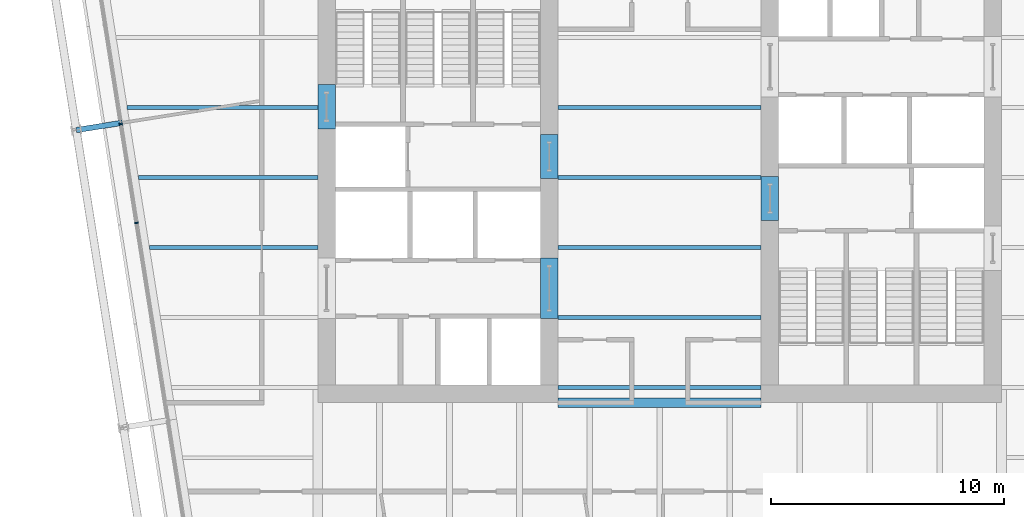
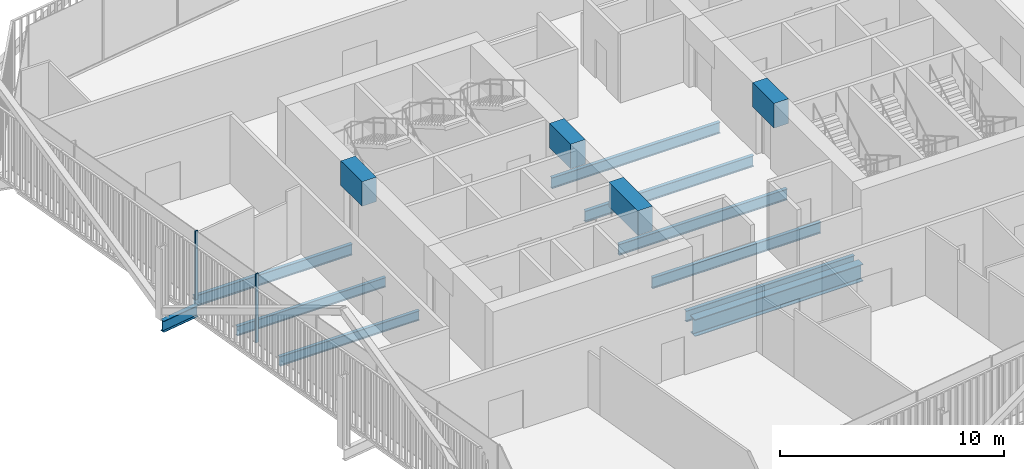
# One storey, part 6 of 22: 14 beams, 2 members, 1 element without a shape of its own.
"""IFC4 building model written with IfcOpenShell, lengths in metres."""

from ifc_helpers import new_model, si_unit, direction, frame, origin, origin_2d, place, context, subcontext, project, spatial, rectangle, i_section, extrude, material, layer, layer_set, material_profile, profile_set, type_object, element, aggregate, save


model = new_model("IFC4")

# Units and contexts
model_context = context("Model", 3, precision=1e-05, world=origin(), true_north=direction((0.0, 1.0)))
body_context = subcontext(model_context, "Body", "Model", "MODEL_VIEW")
ifc_project = project(units=[si_unit("LENGTHUNIT", "METRE"), si_unit("AREAUNIT", "SQUARE_METRE"), si_unit("VOLUMEUNIT", "CUBIC_METRE"), si_unit("PLANEANGLEUNIT", "RADIAN"), si_unit("MASSUNIT", "GRAM", prefix="KILO")], contexts=[model_context])

# Site, building, storey
site_placement = place(None, origin())
site = spatial("IfcSite", under=ifc_project, at=site_placement, CompositionType="ELEMENT")
building_placement = place(site_placement, origin())
building = spatial("IfcBuilding", under=site, at=building_placement, Name="Millrace Tower", CompositionType="ELEMENT")
storey_placement = place(building_placement, frame((0.0, 0.0, 145.10009765625)))
storey = spatial("IfcBuildingStorey", under=building, at=storey_placement, Name="L32", CompositionType="ELEMENT", Elevation=145.10009765625)

# Curtain wall, members
ifc_material_1 = material(Name="Aluminium and glass", Category="aluminium")
ifc_layer = layer(ifc_material_1, 0.14990234375)
ifc_layer_set = layer_set([ifc_layer], Name="Aluminium and glass")
curtain_wall_type = type_object("IfcCurtainWallType", Name="CW-1 office vision curtain wall", PredefinedType="NOTDEFINED", material=ifc_layer_set)
curtain_wall_placement = place(storey_placement, origin())
curtain_wall = element("IfcCurtainWall", 1, at=curtain_wall_placement, inside=storey, type_object=curtain_wall_type, Name="Curtain wall C-F08 L32", PredefinedType="NOTDEFINED")
ifc_material_2 = material(Name="Aluminium", Category="aluminium")
ifc_material_profile_1 = material_profile(ifc_material_2, rectangle(XDim=0.06494140625, YDim=0.14990234375, at=origin_2d()))
ifc_profile_set_1 = profile_set([ifc_material_profile_1], Name="Aluminium")
member_type = type_object("IfcMemberType", Name="CW-1 office vision curtain wall mullion", PredefinedType="MULLION", material=ifc_profile_set_1)
member_1_placement = place(storey_placement, frame((-23.088623046875, 2.300537109375, 0.139892578125), z_axis=(0.0, 0.0, 1.0), x_axis=(0.15643447328, -0.98768833929, 0.0)))
member_1 = element("IfcMember", 2, at=member_1_placement, type_object=member_type, Name="CW1 mullion C-F08.4", PredefinedType="MULLION", context=body_context, shape_type="SweptSolid", body=[
    extrude(rectangle(XDim=0.06494140625, YDim=0.14990234375, at=origin_2d()), origin(), (0.0, 0.0, 1.0), 3.760009765625),
])
member_2_placement = place(storey_placement, frame((-22.416015625, -1.946533203125, 0.139892578125), z_axis=(0.0, 0.0, 1.0), x_axis=(0.15643447328, -0.98768833929, 0.0)))
member_2 = element("IfcMember", 3, at=member_2_placement, type_object=member_type, Name="CW1 mullion C-F08.5", PredefinedType="MULLION", context=body_context, shape_type="SweptSolid", body=[
    extrude(rectangle(XDim=0.06494140625, YDim=0.14990234375, at=origin_2d()), origin(), (0.0, 0.0, 1.0), 3.760009765625),
])
aggregate(curtain_wall, [member_1, member_2])

# Beams
ifc_material_3 = material(Name="Concrete C70", Category="concrete")
ifc_material_profile_2 = material_profile(ifc_material_3, rectangle(XDim=0.75, YDim=1.340087890625, at=origin_2d()))
ifc_profile_set_2 = profile_set([ifc_material_profile_2], Name="Concrete C70")
beam_type_1 = type_object("IfcBeamType", Name="Coupling beam 750 x 1340 Concrete C70, 1300 opening", PredefinedType="BEAM", material=ifc_profile_set_2)
beam_1_placement = place(storey_placement, frame((-14.27490234375, 2.080078125, 3.06982421875), z_axis=(0.0, 1.0, 0.0), x_axis=(-1.0, 0.0, 0.0)))
element("IfcBeam", 4, at=beam_1_placement, inside=storey, type_object=beam_type_1, Name="Coupling beam W L32", PredefinedType="BEAM", context=body_context, shape_type="SweptSolid", body=[
    extrude(rectangle(XDim=0.75, YDim=1.340087890625, at=origin_2d()), origin(), (0.0, 0.0, 1.0), 1.89990234375),
])
for number, where, z_axis, x_axis, name in (
    (5, (-4.72509765625, -0.050048828125, 3.06982421875), (0.0, 1.0, 0.0), (-1.0, 0.0, 0.0), "Coupling beam W L32"),
    (6, (4.72509765625, 0.050048828125, 3.06982421875), (0.0, -1.0, 0.0), (1.0, 0.0, 0.0), "Coupling beam E L32"),
):
    element("IfcBeam", number, at=place(storey_placement, frame(where, z_axis=z_axis, x_axis=x_axis)), inside=storey, type_object=beam_type_1, Name=name, PredefinedType="BEAM", context=body_context, shape_type="SweptSolid", body=[
        extrude(rectangle(XDim=0.75, YDim=1.340087890625, at=origin_2d()), origin(), (0.0, 0.0, 1.0), 1.900146484375),
    ])
ifc_material_4 = material(Name="Concrete C70", Category="concrete")
ifc_material_profile_3 = material_profile(ifc_material_4, rectangle(XDim=0.75, YDim=1.340087890625, at=origin_2d()))
ifc_profile_set_3 = profile_set([ifc_material_profile_3], Name="Concrete C70")
beam_type_2 = type_object("IfcBeamType", Name="Coupling beam 750 x 1340 Concrete C70, 2000 opening", PredefinedType="BEAM", material=ifc_profile_set_3)
beam_2_placement = place(storey_placement, frame((-4.72509765625, -6.050048828125, 3.06982421875), z_axis=(0.0, 1.0, 0.0), x_axis=(-1.0, 0.0, 0.0)))
element("IfcBeam", 7, at=beam_2_placement, inside=storey, type_object=beam_type_2, Name="Coupling beam W L32", PredefinedType="BEAM", context=body_context, shape_type="SweptSolid", body=[
    extrude(rectangle(XDim=0.75, YDim=1.340087890625, at=origin_2d()), origin(), (0.0, 0.0, 1.0), 2.60009765625),
])
ifc_material_5 = material(Name="Steel ASTM A992 Grade 50", Category="steel")
ifc_material_profile_4 = material_profile(ifc_material_5, i_section(OverallWidth=0.1650390625, OverallDepth=0.52587890625, WebThickness=0.0087890625, FlangeThickness=0.011474609375, FilletRadius=0.0126953125, at=origin_2d()))
ifc_profile_set_4 = profile_set([ifc_material_profile_4], Name="Steel ASTM A992 Grade 50")
beam_type_3 = type_object("IfcBeamType", Name="Floor beam W21x44", PredefinedType="JOIST", material=ifc_profile_set_4)
beam_3_placement = place(storey_placement, frame((-21.862060546875, -3.0, -0.423095703125), z_axis=(1.0, 0.0, 0.0), x_axis=(0.0, 1.0, 0.0)))
element("IfcBeam", 8, at=beam_3_placement, inside=storey, type_object=beam_type_3, Name="BM-C-L32-S1-S017", PredefinedType="JOIST", context=body_context, shape_type="SweptSolid", body=[
    extrude(i_section(OverallWidth=0.1650390625, OverallDepth=0.52587890625, WebThickness=0.0087890625, FlangeThickness=0.011474609375, FilletRadius=0.0126953125, at=origin_2d()), origin(), (0.0, 0.0, 1.0), 7.212158203125),
])
beam_4_placement = place(storey_placement, frame((-22.337158203125, 0.0, -0.423095703125), z_axis=(1.0, 0.0, 0.0), x_axis=(0.0, 1.0, 0.0)))
element("IfcBeam", 9, at=beam_4_placement, inside=storey, type_object=beam_type_3, Name="BM-C-L32-S1-S020", PredefinedType="JOIST", context=body_context, shape_type="SweptSolid", body=[
    extrude(i_section(OverallWidth=0.1650390625, OverallDepth=0.52587890625, WebThickness=0.0087890625, FlangeThickness=0.011474609375, FilletRadius=0.0126953125, at=origin_2d()), origin(), (0.0, 0.0, 1.0), 7.687255859375),
])
ifc_material_6 = material(Name="Steel ASTM A992 Grade 50", Category="steel")
ifc_material_profile_5 = material_profile(ifc_material_6, i_section(OverallWidth=0.177978515625, OverallDepth=0.599365234375, WebThickness=0.010009765625, FlangeThickness=0.012939453125, FilletRadius=0.012939453125, at=origin_2d()))
ifc_profile_set_5 = profile_set([ifc_material_profile_5], Name="Steel ASTM A992 Grade 50")
beam_type_4 = type_object("IfcBeamType", Name="Floor beam W24x55", PredefinedType="JOIST", material=ifc_profile_set_5)
for number, where, z_axis, x_axis, name in (
    (10, (-4.35009765625, -9.0, -0.459716796875), (1.0, 0.0, 0.0), (0.0, 1.0, 0.0), "BM-C-L32-S1-S010"),
    (11, (-4.35009765625, -6.0, -0.459716796875), (1.0, 0.0, 0.0), (0.0, 1.0, 0.0), "BM-C-L32-S1-S013"),
    (12, (-4.35009765625, -3.0, -0.459716796875), (1.0, 0.0, 0.0), (0.0, 1.0, 0.0), "BM-C-L32-S1-S016"),
    (13, (-4.35009765625, 0.0, -0.459716796875), (1.0, 0.0, 0.0), (0.0, 1.0, 0.0), "BM-C-L32-S1-S019"),
    (14, (-4.35009765625, 3.0, -0.459716796875), (1.0, 0.0, 0.0), (0.0, 1.0, 0.0), "BM-C-L32-S1-S022"),
):
    element("IfcBeam", number, at=place(storey_placement, frame(where, z_axis=z_axis, x_axis=x_axis)), inside=storey, type_object=beam_type_4, Name=name, PredefinedType="JOIST", context=body_context, shape_type="SweptSolid", body=[
        extrude(i_section(OverallWidth=0.177978515625, OverallDepth=0.599365234375, WebThickness=0.010009765625, FlangeThickness=0.012939453125, FilletRadius=0.012939453125, at=origin_2d()), origin(), (0.0, 0.0, 1.0), 8.7001953125),
    ])
beam_5_placement = place(storey_placement, frame((-22.812255859375, 3.0, -0.459716796875), z_axis=(1.0, 0.0, 0.0), x_axis=(0.0, 1.0, 0.0)))
element("IfcBeam", 15, at=beam_5_placement, inside=storey, type_object=beam_type_4, Name="BM-C-L32-S1-S023", PredefinedType="JOIST", context=body_context, shape_type="SweptSolid", body=[
    extrude(i_section(OverallWidth=0.177978515625, OverallDepth=0.599365234375, WebThickness=0.010009765625, FlangeThickness=0.012939453125, FilletRadius=0.012939453125, at=origin_2d()), origin(), (0.0, 0.0, 1.0), 8.162353515625),
])
ifc_material_7 = material(Name="Steel ASTM A992 Grade 50", Category="steel")
ifc_material_profile_6 = material_profile(ifc_material_7, i_section(OverallWidth=0.419189453125, OverallDepth=0.927001953125, WebThickness=0.019287109375, FlangeThickness=0.031982421875, FilletRadius=0.024169921875, at=origin_2d()))
ifc_profile_set_6 = profile_set([ifc_material_profile_6], Name="Steel ASTM A992 Grade 50")
beam_type_5 = type_object("IfcBeamType", Name="Girder short span W36x231", PredefinedType="BEAM", material=ifc_profile_set_6)
beam_6_placement = place(storey_placement, frame((-4.35009765625, -9.64990234375, -0.62353515625), z_axis=(1.0, 0.0, 0.0), x_axis=(0.0, 1.0, 0.0)))
element("IfcBeam", 16, at=beam_6_placement, inside=storey, type_object=beam_type_5, Name="BM-C-L32-S1-G062", PredefinedType="BEAM", context=body_context, shape_type="SweptSolid", body=[
    extrude(i_section(OverallWidth=0.419189453125, OverallDepth=0.927001953125, WebThickness=0.019287109375, FlangeThickness=0.031982421875, FilletRadius=0.024169921875, at=origin_2d()), origin(), (0.0, 0.0, 1.0), 8.7001953125),
])
ifc_material_8 = material(Name="Steel ASTM A992 Grade 50", Category="steel")
ifc_material_profile_7 = material_profile(ifc_material_8, i_section(OverallWidth=0.23046875, OverallDepth=0.6171875, WebThickness=0.01318359375, FlangeThickness=0.022216796875, FilletRadius=0.012939453125, at=origin_2d()))
ifc_profile_set_7 = profile_set([ifc_material_profile_7], Name="Steel ASTM A992 Grade 50")
beam_type_6 = type_object("IfcBeamType", Name="Link beam W24x94", PredefinedType="BEAM", material=ifc_profile_set_7)
beam_7_placement = place(storey_placement, frame((-23.019775390625, 2.344482421875, -0.46875), z_axis=(-0.987678691416, -0.156495375404, 0.0), x_axis=(0.156495375404, -0.987678691416, 0.0)))
element("IfcBeam", 17, at=beam_7_placement, inside=storey, type_object=beam_type_6, Name="LNK-C-L32-S1-03", PredefinedType="BEAM", context=body_context, shape_type="SweptSolid", body=[
    extrude(i_section(OverallWidth=0.23046875, OverallDepth=0.6171875, WebThickness=0.01318359375, FlangeThickness=0.022216796875, FilletRadius=0.012939453125, at=origin_2d()), origin(), (0.0, 0.0, 1.0), 2.0),
])

save(model, "model.ifc")
